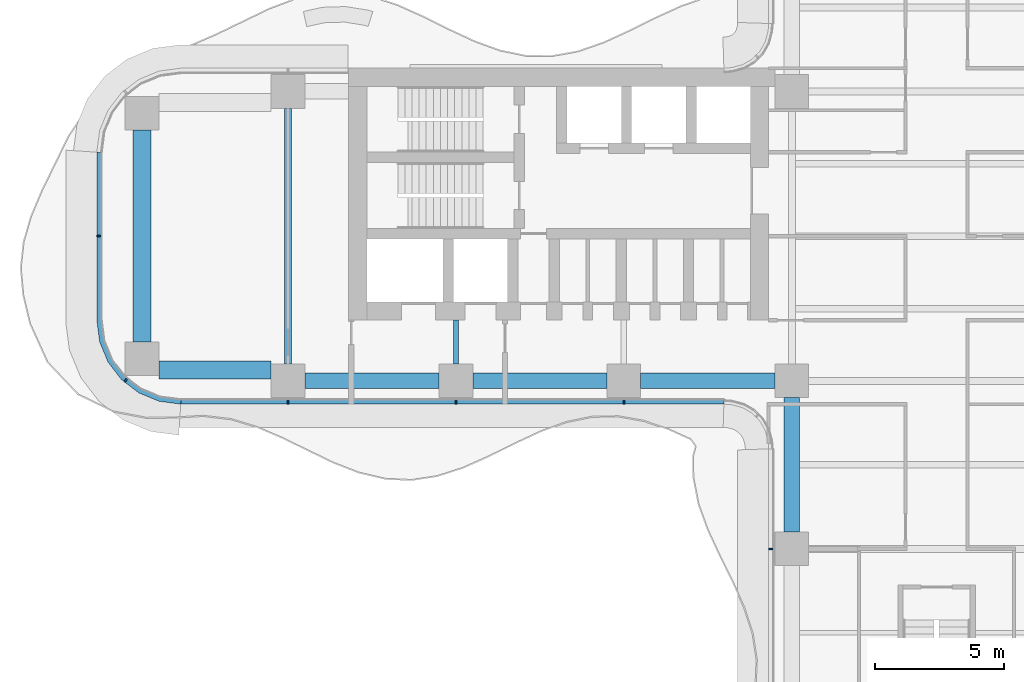
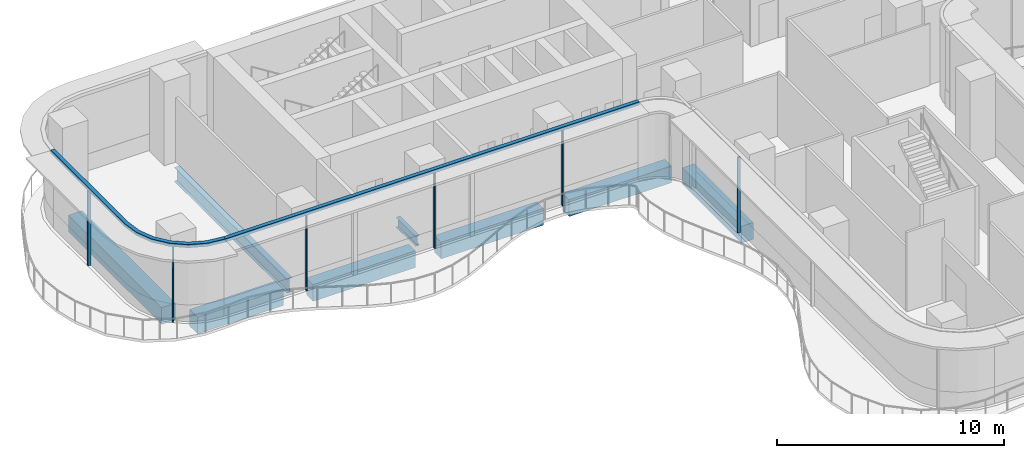
# One storey, part 3 of 23: 8 beams, 8 members, 3 elements without a shape of their own.
"""IFC4 building model written with IfcOpenShell, lengths in metres."""

import ifcopenshell
import ifcopenshell.guid

model = None  # the IFC model being written
_history = None  # IfcOwnerHistory: only IFC2X3 demands one
_inside = {}  # id of a spatial element -> (the spatial element, [elements in it])
_under = {}  # id of a project, library or spatial element -> (it, [spatial elements below it])
_declared = {}  # id of a project -> (the project, [libraries it declares])
_typed = {}  # id of a type object -> (the type object, [elements of that type])
_made_of = {}  # id of a material, layer set ... -> (it, [elements and type objects made of it])


def new_model(schema):
    """Start an empty IFC model of exactly this schema.

    Asked for "IFC4X3", IfcOpenShell would pick the latest addendum, in which some entities
    have other attributes; the version numbers below select the first issue.
    IFC2X3 requires an IfcOwnerHistory on every rooted entity: one is made here for all.
    """
    global model, _history
    if schema == "IFC4X3":
        model = ifcopenshell.file(schema_version=(4, 3, 0, 0))
    else:
        model = ifcopenshell.file(schema=schema)
    _inside.clear()
    _under.clear()
    _declared.clear()
    _typed.clear()
    _made_of.clear()
    _history = None
    if model.schema == "IFC2X3":
        org = make("IfcOrganization", Name="unknown")
        user = make(
            "IfcPersonAndOrganization",
            ThePerson=make("IfcPerson", FamilyName="unknown"),
            TheOrganization=org,
        )
        app = make(
            "IfcApplication",
            ApplicationDeveloper=org,
            Version="unknown",
            ApplicationFullName="unknown",
            ApplicationIdentifier="unknown",
        )
        _history = make(
            "IfcOwnerHistory",
            OwningUser=user,
            OwningApplication=app,
            ChangeAction="ADDED",
            CreationDate=0,
        )
    return model


def make(cls, **values):
    """One entity of the class cls with the attributes given. An attribute that is None is left unset."""
    return model.create_entity(
        cls, **{name: value for name, value in values.items() if value is not None}
    )


def rooted(cls, **values):
    """An entity with a GlobalId (a new one), such as an element, a storey or a relation."""
    return make(cls, GlobalId=ifcopenshell.guid.new(), OwnerHistory=_history, **values)


def si_unit(unit_type, name, prefix=None):
    """IfcSIUnit, for example si_unit("LENGTHUNIT", "METRE", prefix="MILLI")."""
    return make("IfcSIUnit", UnitType=unit_type, Prefix=prefix, Name=name)


def assignment(units):
    """IfcUnitAssignment: the units of a project."""
    return None if units is None else make("IfcUnitAssignment", Units=units)


def point(xyz):
    """IfcCartesianPoint."""
    return None if xyz is None else make("IfcCartesianPoint", Coordinates=xyz)


def direction(xyz):
    """IfcDirection."""
    return None if xyz is None else make("IfcDirection", DirectionRatios=xyz)


def frame(location, z_axis=None, x_axis=None):
    """IfcAxis2Placement3D, a coordinate frame: its origin and axes. An axis left out is left unset."""
    return make(
        "IfcAxis2Placement3D",
        Location=point(location),
        Axis=direction(z_axis),
        RefDirection=direction(x_axis),
    )


def frame_2d(location, x_axis=None):
    """IfcAxis2Placement2D, a coordinate frame in the plane: its origin and x axis."""
    return make(
        "IfcAxis2Placement2D", Location=point(location), RefDirection=direction(x_axis)
    )


def origin():
    """The frame at (0, 0, 0) with its axes left unset."""
    return frame((0.0, 0.0, 0.0))


def origin_2d():
    """The frame at (0, 0) in the plane with its x axis left unset."""
    return frame_2d((0.0, 0.0))


def place(relative_to, where):
    """IfcLocalPlacement: puts the frame where relative to a parent placement (None: the world)."""
    return make(
        "IfcLocalPlacement", PlacementRelTo=relative_to, RelativePlacement=where
    )


def context(
    kind, dimensions, precision=None, world=None, true_north=None, identifier=None
):
    """IfcGeometricRepresentationContext, for example the 3D "Model" context."""
    return make(
        "IfcGeometricRepresentationContext",
        ContextIdentifier=identifier,
        ContextType=kind,
        CoordinateSpaceDimension=dimensions,
        Precision=precision,
        WorldCoordinateSystem=world,
        TrueNorth=true_north,
    )


def subcontext(parent, identifier, kind, view, scale=None):
    """IfcGeometricRepresentationSubContext, for example "Body" below "Model"."""
    return make(
        "IfcGeometricRepresentationSubContext",
        ContextIdentifier=identifier,
        ContextType=kind,
        ParentContext=parent,
        TargetScale=scale,
        TargetView=view,
    )


def project(units=None, contexts=None):
    """IfcProject with its units and contexts."""
    return rooted(
        "IfcProject",
        Name="project",
        RepresentationContexts=contexts,
        UnitsInContext=assignment(units),
    )


def spatial(cls, under=None, at=None, **own):
    """A site, building, storey or space (cls), placed at a placement, below another one or the project."""
    s = rooted(cls, ObjectPlacement=at, **own)
    if under is not None:
        _under.setdefault(under.id(), (under, []))[1].append(s)
    return s


def polyline(points):
    """IfcPolyline through the points."""
    return make("IfcPolyline", Points=[point(p) for p in points])


def profile(cls, at=None, kind="AREA", **sizes):
    """A parametric profile (cls). Its sizes go by their IFC names, for example OverallWidth=200.0."""
    return make(cls, ProfileType=kind, Position=at, **sizes)


def rectangle(**sizes):
    """IfcRectangleProfileDef."""
    return profile("IfcRectangleProfileDef", **sizes)


def i_section(**sizes):
    """IfcIShapeProfileDef."""
    return profile("IfcIShapeProfileDef", **sizes)


def outline(outer, holes=None, kind="AREA"):
    """IfcArbitraryClosedProfileDef: a profile drawn as a closed curve; with holes, ...WithVoids."""
    if holes is None:
        return make("IfcArbitraryClosedProfileDef", ProfileType=kind, OuterCurve=outer)
    return make(
        "IfcArbitraryProfileDefWithVoids",
        ProfileType=kind,
        OuterCurve=outer,
        InnerCurves=holes,
    )


def extrude(swept, where, along, depth):
    """IfcExtrudedAreaSolid: the profile swept, set in the frame where, extruded along a direction by depth."""
    return make(
        "IfcExtrudedAreaSolid",
        SweptArea=swept,
        Position=where,
        ExtrudedDirection=direction(along),
        Depth=depth,
    )


def shape(context_of_items, identifier, shape_type, items):
    """IfcShapeRepresentation: the items that make up one representation, for example the "Body"."""
    return make(
        "IfcShapeRepresentation",
        ContextOfItems=context_of_items,
        RepresentationIdentifier=identifier,
        RepresentationType=shape_type,
        Items=items,
    )


def source(mapping_origin, context_of_items, identifier, shape_type, items):
    """IfcRepresentationMap: a shape defined once, which mapped items show again and again."""
    return make(
        "IfcRepresentationMap",
        MappingOrigin=mapping_origin,
        MappedRepresentation=shape(context_of_items, identifier, shape_type, items),
    )


def transform(
    local_origin,
    x_axis=None,
    y_axis=None,
    z_axis=None,
    scale=None,
    scale2=None,
    scale3=None,
    uniform=True,
):
    """IfcCartesianTransformationOperator3D, or its non-uniform kind. x_axis, y_axis, z_axis: its Axis1, 2, 3."""
    if uniform:
        return make(
            "IfcCartesianTransformationOperator3D",
            Axis1=direction(x_axis),
            Axis2=direction(y_axis),
            LocalOrigin=point(local_origin),
            Scale=scale,
            Axis3=direction(z_axis),
        )
    return make(
        "IfcCartesianTransformationOperator3DnonUniform",
        Axis1=direction(x_axis),
        Axis2=direction(y_axis),
        LocalOrigin=point(local_origin),
        Scale=scale,
        Axis3=direction(z_axis),
        Scale2=scale2,
        Scale3=scale3,
    )


def mapped(mapping_source, mapping_target):
    """IfcMappedItem: shows the shape of a source again, moved by a transform."""
    return make(
        "IfcMappedItem", MappingSource=mapping_source, MappingTarget=mapping_target
    )


def material(Name=None, Category=None):
    """IfcMaterial."""
    return make("IfcMaterial", Name=Name, Category=Category)


def layer(
    of_material, thickness, ventilated=None, Name=None, Category=None, Priority=None
):
    """IfcMaterialLayer: one layer of a wall or slab, of a material (None: an air gap)."""
    return make(
        "IfcMaterialLayer",
        Material=of_material,
        LayerThickness=thickness,
        IsVentilated=ventilated,
        Name=Name,
        Category=Category,
        Priority=Priority,
    )


def layer_set(layers, Name=None):
    """IfcMaterialLayerSet."""
    return make("IfcMaterialLayerSet", MaterialLayers=layers, LayerSetName=Name)


def material_profile(
    of_material, cross_section, Name=None, Category=None, Priority=None
):
    """IfcMaterialProfile: a cross section and its material."""
    return make(
        "IfcMaterialProfile",
        Name=Name,
        Material=of_material,
        Profile=cross_section,
        Priority=Priority,
        Category=Category,
    )


def profile_set(profiles, Name=None, composite=None):
    """IfcMaterialProfileSet."""
    return make(
        "IfcMaterialProfileSet",
        Name=Name,
        MaterialProfiles=profiles,
        CompositeProfile=composite,
    )


def made_of(thing, what):
    """Note that an element or type object is made of a material, layer set ...; save() writes the relation."""
    if what is not None:
        _made_of.setdefault(what.id(), (what, []))[1].append(thing)
    return thing


def type_object(cls, material=None, **own):
    """A type object (cls), such as IfcWallType, which elements share."""
    return made_of(rooted(cls, **own), material)


def element(
    cls,
    number,
    at=None,
    inside=None,
    cuts=None,
    type_object=None,
    material=None,
    context=None,
    identifier="Body",
    shape_type=None,
    held_by="IfcProductDefinitionShape",
    body=None,
    shapes=None,
    **own,
):
    """One element of the class cls, such as IfcWall. Its Tag is "e" and its number.

    at: its placement. inside: the storey or other place that contains it. cuts: it is an
    opening in that element (IfcRelVoidsElement). A single representation is given by context,
    identifier, shape_type and body (its items); several are given by shapes. held_by: the class
    of the entity that holds the representations. save() writes the other relations.
    """
    e = rooted(cls, Tag="e%d" % number, ObjectPlacement=at, **own)
    if body is not None:
        shapes = [shape(context, identifier, shape_type, body)]
    if shapes is not None:
        e.Representation = make(held_by, Representations=shapes)
    if inside is not None:
        _inside.setdefault(inside.id(), (inside, []))[1].append(e)
    if cuts is not None:
        rooted(
            "IfcRelVoidsElement", RelatingBuildingElement=cuts, RelatedOpeningElement=e
        )
    if type_object is not None:
        _typed.setdefault(type_object.id(), (type_object, []))[1].append(e)
    return made_of(e, material)


def aggregate(whole, parts):
    """IfcRelAggregates: a whole, such as a stair, and the parts it consists of."""
    return rooted("IfcRelAggregates", RelatingObject=whole, RelatedObjects=parts)


def save(model, path):
    """Write the relations noted so far, then the file.

    IfcRelAggregates (storeys below a building ...), IfcRelContainedInSpatialStructure (elements
    in a storey), IfcRelDefinesByType, IfcRelAssociatesMaterial and IfcRelDeclares: one each for
    every whole, place, type object, material and project.
    """
    for whole, parts in _under.values():
        aggregate(whole, parts)
    for where, things in _inside.values():
        rooted(
            "IfcRelContainedInSpatialStructure",
            RelatedElements=things,
            RelatingStructure=where,
        )
    for kind, things in _typed.values():
        rooted("IfcRelDefinesByType", RelatedObjects=things, RelatingType=kind)
    for what, things in _made_of.values():
        rooted("IfcRelAssociatesMaterial", RelatedObjects=things, RelatingMaterial=what)
    for by, libraries in _declared.values():
        rooted("IfcRelDeclares", RelatingContext=by, RelatedDefinitions=libraries)
    model.write(path)


model = new_model("IFC4")

# Units and contexts
model_context = context("Model", 3, precision=1e-05, world=origin(), true_north=direction((0.0, 1.0)))
body_context = subcontext(model_context, "Body", "Model", "MODEL_VIEW")
ifc_project = project(units=[si_unit("LENGTHUNIT", "METRE"), si_unit("AREAUNIT", "SQUARE_METRE"), si_unit("VOLUMEUNIT", "CUBIC_METRE"), si_unit("PLANEANGLEUNIT", "RADIAN"), si_unit("MASSUNIT", "GRAM", prefix="KILO")], contexts=[model_context])

# Site, building, storey
site_placement = place(None, origin())
site = spatial("IfcSite", under=ifc_project, at=site_placement, CompositionType="ELEMENT")
building_placement = place(site_placement, origin())
building = spatial("IfcBuilding", under=site, at=building_placement, Name="Trellis Farm Tower", CompositionType="ELEMENT")
storey_placement = place(building_placement, frame((0.0, 0.0, 120.0)))
storey = spatial("IfcBuildingStorey", under=building, at=storey_placement, Name="L25", CompositionType="ELEMENT", Elevation=120.0)

# Beams
ifc_material_1 = material(Name="Steel S355", Category="steel")
ifc_material_profile_1 = material_profile(ifc_material_1, i_section(OverallWidth=0.2666015625, OverallDepth=0.76220703125, WebThickness=0.014404296875, FlangeThickness=0.021484375, FilletRadius=0.0166015625, at=origin_2d()), Name="UB 762x267x173")
ifc_profile_set_1 = profile_set([ifc_material_profile_1], Name="Steel S355")
beam_type_1 = type_object("IfcBeamType", Name="UB 762x267x173", PredefinedType="BEAM", material=ifc_profile_set_1)
shared_shape_1 = source(origin(), body_context, "Body", "SweptSolid", [
    extrude(i_section(OverallWidth=0.2666015625, OverallDepth=0.76220703125, WebThickness=0.014404296875, FlangeThickness=0.021484375, FilletRadius=0.0166015625, at=origin_2d()), origin(), (0.0, 0.0, 1.0), 9.89990234375),
])
beam_1_placement = place(storey_placement, frame((-25.10009765625, -4.949951171875, -0.631103515625), z_axis=(0.0, 1.0, 0.0), x_axis=(-1.0, 0.0, 0.0)))
element("IfcBeam", 1, at=beam_1_placement, inside=storey, type_object=beam_type_1, Name="Girder", PredefinedType="BEAM", context=body_context, shape_type="MappedRepresentation", body=[
    mapped(shared_shape_1, transform((0.0, 0.0, 0.0))),
])
ifc_material_profile_2 = material_profile(ifc_material_1, i_section(OverallWidth=0.209228515625, OverallDepth=0.533203125, WebThickness=0.010009765625, FlangeThickness=0.015625, FilletRadius=0.0126953125, at=origin_2d()), Name="UB 533x210x92")
ifc_profile_set_2 = profile_set([ifc_material_profile_2], Name="Steel S355")
beam_type_2 = type_object("IfcBeamType", Name="UB 533x210x92", PredefinedType="BEAM", material=ifc_profile_set_2)
shared_shape_2 = source(origin(), body_context, "Body", "SweptSolid", [
    extrude(i_section(OverallWidth=0.209228515625, OverallDepth=0.533203125, WebThickness=0.010009765625, FlangeThickness=0.015625, FilletRadius=0.0126953125, at=origin_2d()), origin(), (0.0, 0.0, 1.0), 1.699951171875),
])
beam_2_placement = place(storey_placement, frame((-18.60009765625, -4.949951171875, -0.5166015625), z_axis=(0.0, 1.0, 0.0), x_axis=(-1.0, 0.0, 0.0)))
element("IfcBeam", 2, at=beam_2_placement, inside=storey, type_object=beam_type_2, Name="Girder", PredefinedType="BEAM", context=body_context, shape_type="MappedRepresentation", body=[
    mapped(shared_shape_2, transform((0.0, 0.0, 0.0))),
])
ifc_material_2 = material(Name="Concrete C60/75", Category="concrete")
ifc_material_profile_3 = material_profile(ifc_material_2, rectangle(XDim=0.60009765625, YDim=0.89990234375, at=origin_2d()), Name="RC spandrel beam 600x900 C60/75")
ifc_profile_set_3 = profile_set([ifc_material_profile_3], Name="Concrete C60/75")
beam_type_3 = type_object("IfcBeamType", Name="RC spandrel beam 600x900 C60/75", PredefinedType="SPANDREL", material=ifc_profile_set_3)
shared_shape_3 = source(origin(), body_context, "Body", "SweptSolid", [
    extrude(rectangle(XDim=0.60009765625, YDim=0.89990234375, at=origin_2d()), origin(), (0.0, 0.0, 1.0), 5.199951171875),
])
for number, where, z_axis, x_axis, name in (
    (3, (-24.449951171875, -5.60009765625, -0.699951171875), (1.0, 0.0, 0.0), (0.0, 1.0, 0.0), "Girder"),
    (4, (-17.949951171875, -5.60009765625, -0.699951171875), (1.0, 0.0, 0.0), (0.0, 1.0, 0.0), "Girder"),
    (5, (-11.449951171875, -5.60009765625, -0.699951171875), (1.0, 0.0, 0.0), (0.0, 1.0, 0.0), "Girder"),
    (6, (-5.60009765625, -11.449951171875, -0.699951171875), (0.0, 1.0, 0.0), (-1.0, 0.0, 0.0), "Girder"),
):
    element("IfcBeam", number, at=place(storey_placement, frame(where, z_axis=z_axis, x_axis=x_axis)), inside=storey, type_object=beam_type_3, Name=name, PredefinedType="SPANDREL", context=body_context, shape_type="MappedRepresentation", body=[
        mapped(shared_shape_3, transform((0.0, 0.0, 0.0))),
    ])
ifc_material_profile_4 = material_profile(ifc_material_2, rectangle(XDim=0.699951171875, YDim=0.89990234375, at=origin_2d()), Name="RC spandrel beam 700x900 C60/75")
ifc_profile_set_4 = profile_set([ifc_material_profile_4], Name="Concrete C60/75")
beam_type_4 = type_object("IfcBeamType", Name="RC spandrel beam 700x900 C60/75", PredefinedType="SPANDREL", material=ifc_profile_set_4)
shared_shape_4 = source(origin(), body_context, "Body", "SweptSolid", [
    extrude(rectangle(XDim=0.699951171875, YDim=0.89990234375, at=origin_2d()), origin(), (0.0, 0.0, 1.0), 4.35009765625),
])
beam_3_placement = place(storey_placement, frame((-30.10009765625, -5.175048828125, -0.699951171875), z_axis=(1.0, 0.0, 0.0), x_axis=(0.0, 1.0, 0.0)))
element("IfcBeam", 7, at=beam_3_placement, inside=storey, type_object=beam_type_4, Name="Girder", PredefinedType="SPANDREL", context=body_context, shape_type="MappedRepresentation", body=[
    mapped(shared_shape_4, transform((0.0, 0.0, 0.0))),
])
shared_shape_5 = source(origin(), body_context, "Body", "SweptSolid", [
    extrude(rectangle(XDim=0.699951171875, YDim=0.89990234375, at=origin_2d()), origin(), (0.0, 0.0, 1.0), 8.2001953125),
])
beam_4_placement = place(storey_placement, frame((-30.75, -4.10009765625, -0.699951171875), z_axis=(0.0, 1.0, 0.0), x_axis=(-1.0, 0.0, 0.0)))
element("IfcBeam", 8, at=beam_4_placement, inside=storey, type_object=beam_type_4, Name="Girder", PredefinedType="SPANDREL", context=body_context, shape_type="MappedRepresentation", body=[
    mapped(shared_shape_5, transform((0.0, 0.0, 0.0))),
])

# Curtain wall, members
ifc_material_3 = material(Name="Aluminium and glass curtain wall", Category="aluminium")
ifc_layer_1 = layer(ifc_material_3, 0.18994140625)
ifc_layer_set_1 = layer_set([ifc_layer_1], Name="RIBBON CURTAIN WALL CW1")
curtain_wall_type = type_object("IfcCurtainWallType", Name="RIBBON CURTAIN WALL CW1", PredefinedType="NOTDEFINED", material=ifc_layer_set_1)
placement_1 = place(storey_placement, origin())
curtain_wall_1 = element("IfcCurtainWall", 9, at=placement_1, inside=storey, type_object=curtain_wall_type, Name="CW1 001", PredefinedType="NOTDEFINED")
ifc_material_4 = material(Name="Aluminium extrusion 6063-T6", Category="aluminium")
ifc_material_profile_5 = material_profile(ifc_material_4, rectangle(XDim=0.06005859375, YDim=0.14990234375, at=origin_2d()), Name="MULLION 60x150")
ifc_profile_set_5 = profile_set([ifc_material_profile_5], Name="Aluminium extrusion 6063-T6")
member_type_1 = type_object("IfcMemberType", Name="CW1 MULLION 60x150", PredefinedType="MULLION", material=ifc_profile_set_5)
shared_shape_6 = source(origin(), body_context, "Body", "SweptSolid", [
    extrude(rectangle(XDim=0.06005859375, YDim=0.14990234375, at=origin_2d()), origin(), (0.0, 0.0, 1.0), 4.070068359375),
])
member_1_placement = place(storey_placement, frame((-25.10009765625, -6.425048828125, 0.0), z_axis=(0.0, 0.0, 1.0), x_axis=(1.0, 0.0, 0.0)))
member_1 = element("IfcMember", 10, at=member_1_placement, type_object=member_type_1, Name="MU1 001-01", PredefinedType="MULLION", context=body_context, shape_type="MappedRepresentation", body=[
    mapped(shared_shape_6, transform((0.0, 0.0, 0.0))),
])
member_2_placement = place(storey_placement, frame((-18.60009765625, -6.425048828125, 0.0), z_axis=(0.0, 0.0, 1.0), x_axis=(1.0, 0.0, 0.0)))
member_2 = element("IfcMember", 11, at=member_2_placement, type_object=member_type_1, Name="MU1 001-02", PredefinedType="MULLION", context=body_context, shape_type="MappedRepresentation", body=[
    mapped(shared_shape_6, transform((0.0, 0.0, 0.0))),
])
member_3_placement = place(storey_placement, frame((-12.10009765625, -6.425048828125, 0.0), z_axis=(0.0, 0.0, 1.0), x_axis=(1.0, 0.0, 0.0)))
member_3 = element("IfcMember", 12, at=member_3_placement, type_object=member_type_1, Name="MU1 001-03", PredefinedType="MULLION", context=body_context, shape_type="MappedRepresentation", body=[
    mapped(shared_shape_6, transform((0.0, 0.0, 0.0))),
])

# Curtain wall, member
curtain_wall_2 = element("IfcCurtainWall", 13, at=placement_1, inside=storey, type_object=curtain_wall_type, Name="CW1 002", PredefinedType="NOTDEFINED")
member_4_placement = place(storey_placement, frame((-6.425048828125, -12.10009765625, 0.0), z_axis=(0.0, 0.0, 1.0), x_axis=(0.0, -1.0, 0.0)))
member_4 = element("IfcMember", 14, at=member_4_placement, type_object=member_type_1, Name="MU1 002-01", PredefinedType="MULLION", context=body_context, shape_type="MappedRepresentation", body=[
    mapped(shared_shape_6, transform((0.0, 0.0, 0.0))),
])
aggregate(curtain_wall_2, [member_4])

# Curtain wall, members
curtain_wall_3 = element("IfcCurtainWall", 15, at=placement_1, inside=storey, type_object=curtain_wall_type, Name="CW1 014", PredefinedType="NOTDEFINED")
member_5_placement = place(storey_placement, frame((-32.425048828125, 0.0, 0.0), z_axis=(0.0, 0.0, 1.0), x_axis=(0.0, -1.0, 0.0)))
member_5 = element("IfcMember", 16, at=member_5_placement, type_object=member_type_1, Name="MU1 014-01", PredefinedType="MULLION", context=body_context, shape_type="MappedRepresentation", body=[
    mapped(shared_shape_6, transform((0.0, 0.0, 0.0))),
])
member_6_placement = place(storey_placement, frame((-31.385498046875, -5.578369140625, 0.0), z_axis=(0.0, 0.0, 1.0), x_axis=(0.793353340291, -0.608761429009, 0.0)))
member_6 = element("IfcMember", 17, at=member_6_placement, type_object=member_type_1, Name="MU1 014-02", PredefinedType="MULLION", context=body_context, shape_type="MappedRepresentation", body=[
    mapped(shared_shape_6, transform((0.0, 0.0, 0.0))),
])

# Member
ifc_layer_2 = layer(ifc_material_4, 0.199951171875)
ifc_layer_set_2 = layer_set([ifc_layer_2], Name="Aluminium extrusion 6063-T6")
member_type_2 = type_object("IfcMemberType", Name="CW1 TRANSOM 200x180", PredefinedType="USERDEFINED", material=ifc_layer_set_2)
shared_shape_7 = source(origin(), body_context, "Body", "SweptSolid", [
    extrude(outline(polyline([(-29.25, -6.5), (-8.2314453125, -6.5), (-8.224853515625, -6.300048828125), (-29.23681640625, -6.300048828125), (-29.25, -6.5)])), origin(), (0.0, 0.0, 1.0), 0.179931640625),
])
placement_2 = place(storey_placement, frame((0.0, 0.0, 4.070068359375)))
member_7 = element("IfcMember", 18, at=placement_2, type_object=member_type_2, Name="TR1 001", ObjectType="TRANSOM", PredefinedType="USERDEFINED", context=body_context, shape_type="MappedRepresentation", body=[
    mapped(shared_shape_7, transform((0.0, 0.0, 0.0))),
])

aggregate(curtain_wall_1, [member_1, member_2, member_3, member_7])

shared_shape_8 = source(origin(), body_context, "Body", "SweptSolid", [
    extrude(outline(polyline([(-32.5, 3.25), (-32.5, -3.25), (-32.38916015625, -4.091064453125), (-32.064697265625, -4.875), (-31.548095703125, -5.548095703125), (-30.875, -6.064697265625), (-30.091064453125, -6.38916015625), (-29.25, -6.5), (-29.23681640625, -6.300048828125), (-30.0390625, -6.1943359375), (-30.774169921875, -5.889892578125), (-31.405517578125, -5.405517578125), (-31.889892578125, -4.774169921875), (-32.1943359375, -4.0390625), (-32.300048828125, -3.23681640625), (-32.300048828125, 3.23681640625), (-32.5, 3.25)])), origin(), (0.0, 0.0, 1.0), 0.179931640625),
])
member_8 = element("IfcMember", 19, at=placement_2, type_object=member_type_2, Name="TR1 014", ObjectType="TRANSOM", PredefinedType="USERDEFINED", context=body_context, shape_type="MappedRepresentation", body=[
    mapped(shared_shape_8, transform((0.0, 0.0, 0.0))),
])

aggregate(curtain_wall_3, [member_5, member_6, member_8])

save(model, "model.ifc")
